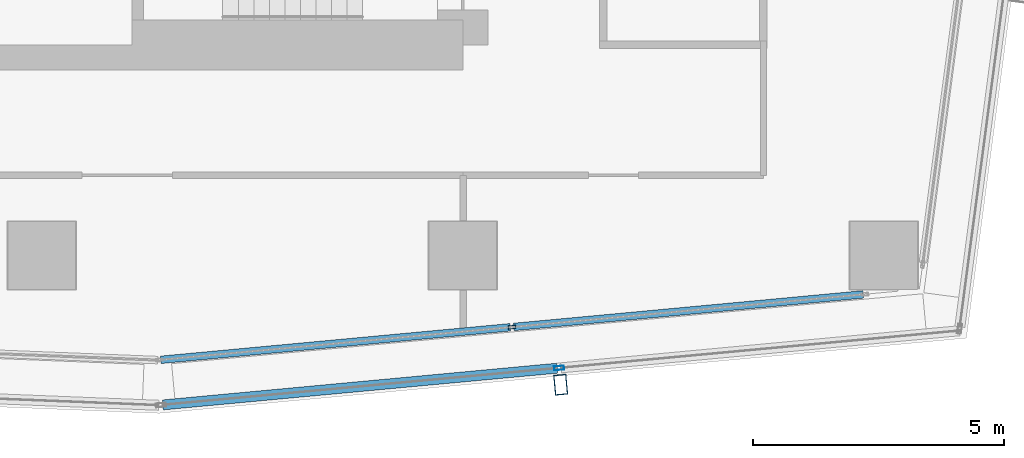
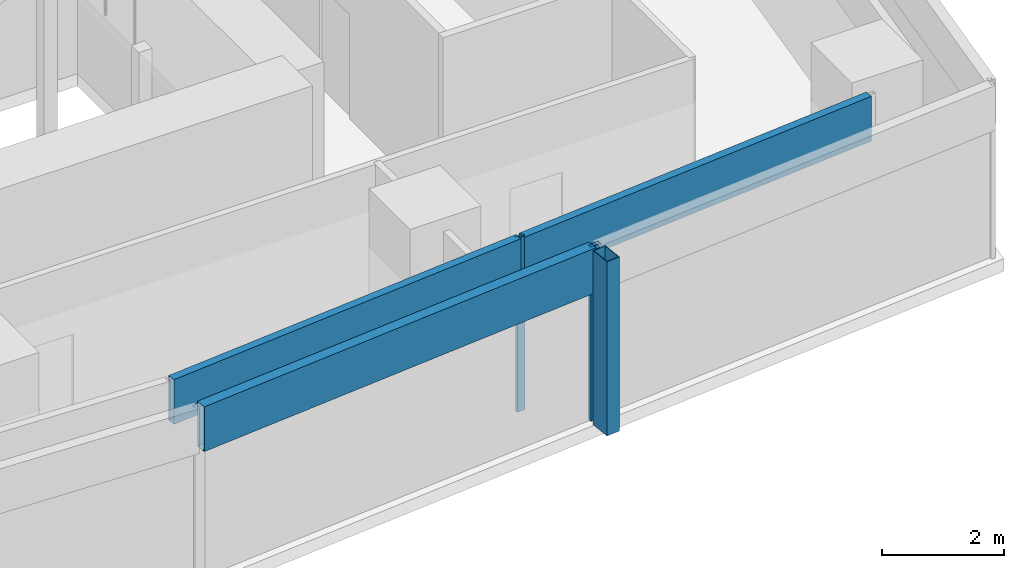
# One storey, part 10 of 39: 6 members, 2 elements without a shape of their own.
"""IFC4 building model written with IfcOpenShell, lengths in metres."""

from ifc_helpers import new_model, si_unit, direction, frame, origin, origin_2d, place, context, subcontext, project, spatial, hollow_rectangle, extrude, material, material_profile, profile_set, type_object, element, aggregate, save


model = new_model("IFC4")

# Units and contexts
model_context = context("Model", 3, precision=1e-05, world=origin(), true_north=direction((0.0, 1.0)))
body_context = subcontext(model_context, "Body", "Model", "MODEL_VIEW")
ifc_project = project(units=[si_unit("LENGTHUNIT", "METRE"), si_unit("AREAUNIT", "SQUARE_METRE"), si_unit("VOLUMEUNIT", "CUBIC_METRE"), si_unit("PLANEANGLEUNIT", "RADIAN"), si_unit("MASSUNIT", "GRAM", prefix="KILO")], contexts=[model_context])

# Site, building, storey
site_placement = place(None, origin())
site = spatial("IfcSite", under=ifc_project, at=site_placement, CompositionType="ELEMENT")
building_placement = place(site_placement, origin())
building = spatial("IfcBuilding", under=site, at=building_placement, Name="Rekha Terrace Tower", CompositionType="ELEMENT")
storey_placement = place(building_placement, frame((0.0, 0.0, 221.449951171875)))
storey = spatial("IfcBuildingStorey", under=building, at=storey_placement, Name="L56", CompositionType="ELEMENT", Elevation=221.449951171875)

# Curtain wall, member
ifc_material_1 = material(Name="Aluminium framing", Category="aluminium")
curtain_wall_type_1 = type_object("IfcCurtainWallType", Name="CW2 double skin outer glazing", PredefinedType="USERDEFINED", material=ifc_material_1)
curtain_wall_1_placement = place(storey_placement, origin())
curtain_wall_1 = element("IfcCurtainWall", 1, at=curtain_wall_1_placement, inside=storey, type_object=curtain_wall_type_1, Name="CW2 double skin outer glazing", ObjectType="DOUBLE SKIN OUTER GLAZING", PredefinedType="USERDEFINED")
ifc_material_2 = material(Name="Steel S355 with fluorocarbon finish", Category="steel")
ifc_material_profile_1 = material_profile(ifc_material_2, hollow_rectangle(XDim=0.25, YDim=0.39990234375, WallThickness=0.012451171875, at=origin_2d()), Name="RHS400x250x12.5")
ifc_profile_set_1 = profile_set([ifc_material_profile_1], Name="Steel S355 with fluorocarbon finish")
member_type_1 = type_object("IfcMemberType", Name="BL1 facade blade RHS 400 x 250", PredefinedType="USERDEFINED", material=ifc_profile_set_1)
member_1_placement = place(storey_placement, frame((52.35302734375, 14.22021484375, 0.0), z_axis=(0.0, 0.0, 1.0), x_axis=(0.995693203185, 0.092709466242, 0.0)))
member_1 = element("IfcMember", 2, at=member_1_placement, type_object=member_type_1, Name="Facade blade", ObjectType="FACADE BLADE", PredefinedType="USERDEFINED", context=body_context, shape_type="SweptSolid", body=[
    extrude(hollow_rectangle(XDim=0.25, YDim=0.39990234375, WallThickness=0.012451171875, at=origin_2d()), origin(), (0.0, 0.0, 1.0), 3.5),
])

# Curtain wall, members
curtain_wall_type_2 = type_object("IfcCurtainWallType", Name="CW1 double skin inner glazing", PredefinedType="USERDEFINED", material=ifc_material_1)
curtain_wall_2_placement = place(storey_placement, origin())
curtain_wall_2 = element("IfcCurtainWall", 3, at=curtain_wall_2_placement, inside=storey, type_object=curtain_wall_type_2, Name="CW1 double skin inner glazing", ObjectType="DOUBLE SKIN INNER GLAZING", PredefinedType="USERDEFINED")
ifc_material_3 = material(Name="Aluminium mullion section", Category="aluminium")
ifc_material_profile_2 = material_profile(ifc_material_3, hollow_rectangle(XDim=0.06494140625, YDim=0.14990234375, WallThickness=0.00390625, at=origin_2d()), Name="AL RHS 65x150")
ifc_profile_set_2 = profile_set([ifc_material_profile_2], Name="Aluminium mullion section")
member_type_2 = type_object("IfcMemberType", Name="CW1 mullion RHS 65 x 150", PredefinedType="MULLION", material=ifc_profile_set_2)
member_2_placement = place(storey_placement, frame((51.3818359375, 15.370361328125, 0.0), z_axis=(0.0, 0.0, 1.0), x_axis=(-0.092708869564, 0.995693258742, 0.0)))
member_2 = element("IfcMember", 4, at=member_2_placement, type_object=member_type_2, Name="CW1 mullion 2", PredefinedType="MULLION", context=body_context, shape_type="SweptSolid", body=[
    extrude(hollow_rectangle(XDim=0.06494140625, YDim=0.14990234375, WallThickness=0.00390625, at=origin_2d()), origin(), (0.0, 0.0, 1.0), 3.5),
])
ifc_material_4 = material(Name="Insulated aluminium spandrel box", Category="aluminium")
ifc_material_profile_3 = material_profile(ifc_material_4, hollow_rectangle(XDim=0.14990234375, YDim=0.89990234375, WallThickness=0.0029296875, at=origin_2d()), Name="AL SPANDREL BOX 150x900")
ifc_profile_set_3 = profile_set([ifc_material_profile_3], Name="Insulated aluminium spandrel box")
member_type_3 = type_object("IfcMemberType", Name="CW1 spandrel transom 150 x 900", PredefinedType="USERDEFINED", material=ifc_profile_set_3)
member_3_placement = place(storey_placement, frame((44.376708984375, 14.718017578125, 3.050048828125), z_axis=(0.995694259474, 0.092698121072, 0.0), x_axis=(-0.092698121072, 0.995694259474, 0.0)))
member_3 = element("IfcMember", 5, at=member_3_placement, type_object=member_type_3, Name="CW1 spandrel transom 1", ObjectType="TRANSOM", PredefinedType="USERDEFINED", context=body_context, shape_type="SweptSolid", body=[
    extrude(hollow_rectangle(XDim=0.14990234375, YDim=0.89990234375, WallThickness=0.0029296875, at=origin_2d()), origin(), (0.0, 0.0, 1.0), 7.003173828125),
])
member_4_placement = place(storey_placement, frame((51.414306640625, 15.373291015625, 3.050048828125), z_axis=(0.995694259474, 0.092698121072, 0.0), x_axis=(-0.092698121072, 0.995694259474, 0.0)))
member_4 = element("IfcMember", 6, at=member_4_placement, type_object=member_type_3, Name="CW1 spandrel transom 2", ObjectType="TRANSOM", PredefinedType="USERDEFINED", context=body_context, shape_type="SweptSolid", body=[
    extrude(hollow_rectangle(XDim=0.14990234375, YDim=0.89990234375, WallThickness=0.0029296875, at=origin_2d()), origin(), (0.0, 0.0, 1.0), 7.003173828125),
])
aggregate(curtain_wall_2, [member_2, member_3, member_4])

# Member
ifc_material_profile_4 = material_profile(ifc_material_3, hollow_rectangle(XDim=0.080078125, YDim=0.199951171875, WallThickness=0.00390625, at=origin_2d()), Name="AL RHS 80x200")
ifc_profile_set_4 = profile_set([ifc_material_profile_4], Name="Aluminium mullion section")
member_type_4 = type_object("IfcMemberType", Name="CW2 mullion RHS 80 x 200", PredefinedType="MULLION", material=ifc_profile_set_4)
member_5_placement = place(storey_placement, frame((52.322021484375, 14.553955078125, 0.0), z_axis=(0.0, 0.0, 1.0), x_axis=(-0.092708869512, 0.995693258747, 0.0)))
member_5 = element("IfcMember", 7, at=member_5_placement, type_object=member_type_4, Name="CW2 mullion 2", PredefinedType="MULLION", context=body_context, shape_type="SweptSolid", body=[
    extrude(hollow_rectangle(XDim=0.080078125, YDim=0.199951171875, WallThickness=0.00390625, at=origin_2d()), origin(), (0.0, 0.0, 1.0), 3.5),
])

ifc_material_profile_5 = material_profile(ifc_material_4, hollow_rectangle(XDim=0.199951171875, YDim=0.89990234375, WallThickness=0.0029296875, at=origin_2d()), Name="AL SPANDREL BOX 200x900")
ifc_profile_set_5 = profile_set([ifc_material_profile_5], Name="Insulated aluminium spandrel box")
member_type_5 = type_object("IfcMemberType", Name="CW2 spandrel transom 200 x 900", PredefinedType="USERDEFINED", material=ifc_profile_set_5)
member_6_placement = place(storey_placement, frame((44.41552734375, 13.817626953125, 3.050048828125), z_axis=(0.995690937161, 0.092733799963, 0.0), x_axis=(-0.092733799963, 0.995690937161, 0.0)))
member_6 = element("IfcMember", 8, at=member_6_placement, type_object=member_type_5, Name="CW2 spandrel transom 1", ObjectType="TRANSOM", PredefinedType="USERDEFINED", context=body_context, shape_type="SweptSolid", body=[
    extrude(hollow_rectangle(XDim=0.199951171875, YDim=0.89990234375, WallThickness=0.0029296875, at=origin_2d()), origin(), (0.0, 0.0, 1.0), 7.900634765625),
])

aggregate(curtain_wall_1, [member_5, member_6, member_1])

save(model, "model.ifc")
